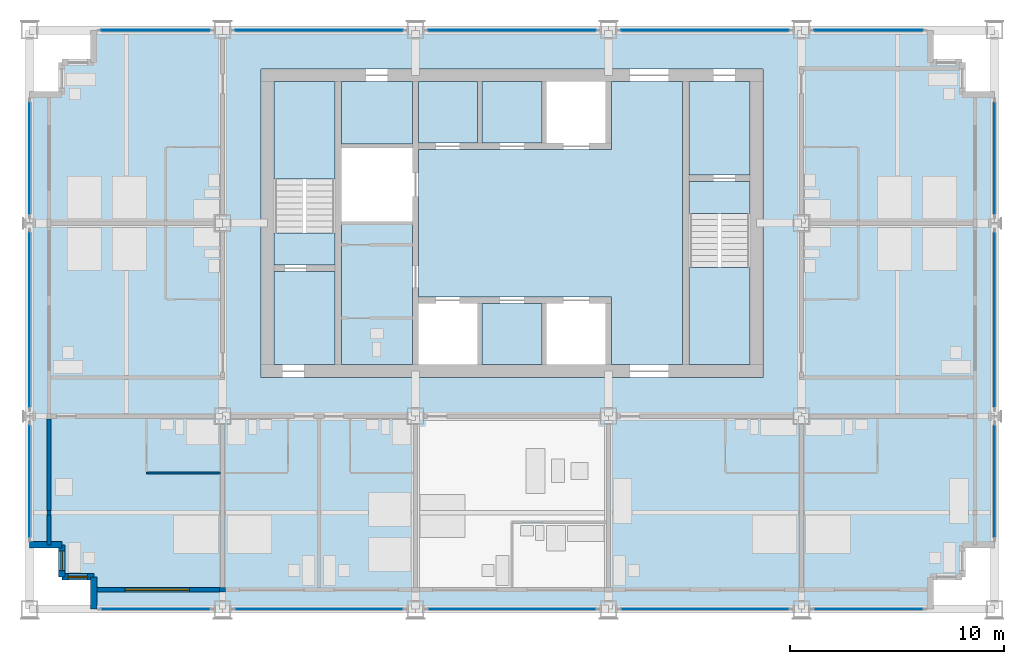
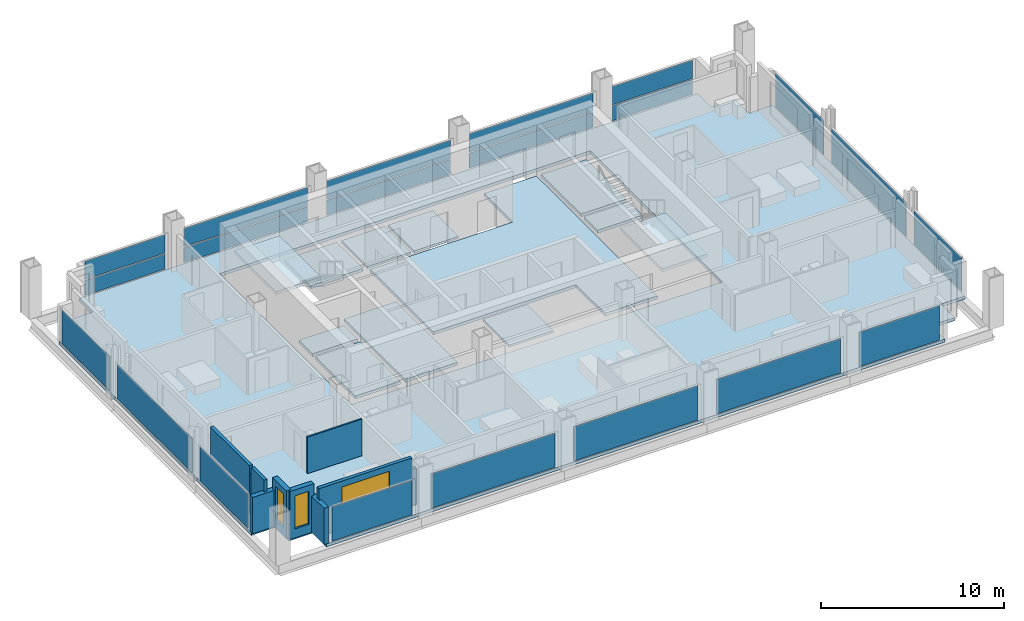
# One storey, part 6 of 13: 21 plates, 13 slabs, 10 walls, 3 windows, 3 openings, 18 elements without a shape of their own.
"""IFC4 building model written with IfcOpenShell, lengths in metres."""

from ifc_helpers import new_model, si_unit, direction, frame, frame_2d, origin, origin_2d, place, context, subcontext, project, spatial, polyline, rectangle, outline, extrude, material, layer, layer_set, type_object, element, fill, aggregate, save


model = new_model("IFC4")

# Units and contexts
model_context = context("Model", 3, precision=1e-05, world=origin(), true_north=direction((0.0, 1.0)))
body_context = subcontext(model_context, "Body", "Model", "MODEL_VIEW")
ifc_project = project(units=[si_unit("LENGTHUNIT", "METRE"), si_unit("AREAUNIT", "SQUARE_METRE"), si_unit("VOLUMEUNIT", "CUBIC_METRE"), si_unit("PLANEANGLEUNIT", "RADIAN"), si_unit("MASSUNIT", "GRAM", prefix="KILO")], contexts=[model_context])

# Site, building, storey
site_placement = place(None, origin())
site = spatial("IfcSite", under=ifc_project, at=site_placement, CompositionType="ELEMENT")
building_placement = place(site_placement, origin())
building = spatial("IfcBuilding", under=site, at=building_placement, Name="Loomwork Tower", CompositionType="ELEMENT")
storey_placement = place(building_placement, frame((0.0, 0.0, 191.0)))
storey = spatial("IfcBuildingStorey", under=building, at=storey_placement, Name="L52", CompositionType="ELEMENT", Elevation=191.0)

# Slabs
ifc_material_1 = material(Name="Concrete 5000 psi (34 MPa) on composite metal deck", Category="concrete")
ifc_layer_1 = layer(ifc_material_1, 0.199951171875)
ifc_layer_set_1 = layer_set([ifc_layer_1], Name="Floor slab 200")
slab_type_1 = type_object("IfcSlabType", Name="Floor slab 200", PredefinedType="FLOOR", material=ifc_layer_set_1)
slab_1_placement = place(storey_placement, frame((0.0, 0.0, -0.199951171875)))
element("IfcSlab", 1, at=slab_1_placement, inside=storey, type_object=slab_type_1, Name="Floor slab L52", PredefinedType="FLOOR", context=body_context, shape_type="SweptSolid", body=[
    extrude(outline(polyline([(3.0, 1.5), (1.5, 1.5), (1.5, 3.0), (0.0, 3.0), (0.0, 24.0), (1.5, 24.0), (1.5, 25.5), (3.0, 25.5), (3.0, 27.0), (42.0, 27.0), (42.0, 25.5), (43.5, 25.5), (43.5, 24.0), (45.0, 24.0), (45.0, 3.0), (43.5, 3.0), (43.5, 1.5), (42.0, 1.5), (42.0, 0.0), (3.0, 0.0), (3.0, 1.5)]), holes=[polyline([(10.800048828125, 11.39990234375), (10.800048828125, 11.39990234375), (10.800048828125, 10.800048828125), (34.199951171875, 10.800048828125), (34.199951171875, 11.39990234375), (34.199951171875, 11.39990234375), (34.199951171875, 24.60009765625), (34.199951171875, 25.199951171875), (10.800048828125, 25.199951171875), (10.800048828125, 24.60009765625), (10.800048828125, 11.39990234375)])]), origin(), (0.0, 0.0, 1.0), 0.199951171875),
])
slab_2_placement = place(storey_placement, frame((0.0, 0.0, -0.199951171875)))
element("IfcSlab", 2, at=slab_2_placement, inside=storey, type_object=slab_type_1, Name="Floor slab L52", PredefinedType="FLOOR", context=body_context, shape_type="SweptSolid", body=[
    extrude(outline(polyline([(30.449951171875, 24.60009765625), (30.449951171875, 11.39990234375), (27.14990234375, 11.39990234375), (27.14990234375, 14.25), (27.14990234375, 14.550048828125), (18.14990234375, 14.550048828125), (18.14990234375, 21.449951171875), (27.14990234375, 21.449951171875), (27.14990234375, 21.75), (27.14990234375, 24.60009765625), (30.449951171875, 24.60009765625)])), origin(), (0.0, 0.0, 1.0), 0.199951171875),
])
slab_3_placement = place(storey_placement, frame((0.0, 0.0, -0.199951171875)))
element("IfcSlab", 3, at=slab_3_placement, inside=storey, type_object=slab_type_1, Name="Floor slab L52", PredefinedType="FLOOR", context=body_context, shape_type="SweptSolid", body=[
    extrude(outline(polyline([(14.550048828125, 11.39990234375), (14.550048828125, 18.074951171875), (17.85009765625, 18.074951171875), (17.85009765625, 11.39990234375), (14.550048828125, 11.39990234375)])), origin(), (0.0, 0.0, 1.0), 0.199951171875),
])
slab_4_placement = place(storey_placement, frame((0.0, 0.0, -0.199951171875)))
element("IfcSlab", 4, at=slab_4_placement, inside=storey, type_object=slab_type_1, Name="Floor slab L52", PredefinedType="FLOOR", context=body_context, shape_type="SweptSolid", body=[
    extrude(outline(polyline([(33.60009765625, 20.25), (30.75, 20.25), (30.75, 24.60009765625), (33.60009765625, 24.60009765625), (33.60009765625, 20.25)])), origin(), (0.0, 0.0, 1.0), 0.199951171875),
])
slab_5_placement = place(storey_placement, frame((0.0, 0.0, -0.199951171875)))
element("IfcSlab", 5, at=slab_5_placement, inside=storey, type_object=slab_type_1, Name="Floor slab L52", PredefinedType="FLOOR", context=body_context, shape_type="SweptSolid", body=[
    extrude(outline(polyline([(14.25, 15.75), (14.25, 11.39990234375), (11.39990234375, 11.39990234375), (11.39990234375, 15.75), (14.25, 15.75)])), origin(), (0.0, 0.0, 1.0), 0.199951171875),
])
slab_6_placement = place(storey_placement, frame((0.0, 0.0, -0.199951171875)))
element("IfcSlab", 6, at=slab_6_placement, inside=storey, type_object=slab_type_1, Name="Floor slab L52", PredefinedType="FLOOR", context=body_context, shape_type="SweptSolid", body=[
    extrude(outline(polyline([(14.550048828125, 21.699951171875), (14.550048828125, 24.60009765625), (17.85009765625, 24.60009765625), (17.85009765625, 21.699951171875), (14.550048828125, 21.699951171875)])), origin(), (0.0, 0.0, 1.0), 0.199951171875),
])

# Curtain wall, plate
ifc_material_2 = material(Name="Aluminium curtain wall frame", Category="aluminium")
curtain_wall_type_1 = type_object("IfcCurtainWallType", Name="Outer skin glazing hotel", PredefinedType="NOTDEFINED", material=ifc_material_2)
curtain_wall_1_placement = place(storey_placement, origin())
curtain_wall_1 = element("IfcCurtainWall", 7, at=curtain_wall_1_placement, inside=storey, type_object=curtain_wall_type_1, Name="Outer skin glazing hotel cw/S-0", PredefinedType="NOTDEFINED")
ifc_material_3 = material(Name="Clear laminated glass", Category="glass")
ifc_layer_2 = layer(ifc_material_3, 0.02392578125)
ifc_layer_set_2 = layer_set([ifc_layer_2], Name="Outer skin glazing hotel panel")
plate_type_1 = type_object("IfcPlateType", Name="Outer skin glazing hotel panel", PredefinedType="CURTAIN_PANEL", material=ifc_layer_set_2)
plate_1_placement = place(storey_placement, frame((5.875, 0.0, 0.06494140625), z_axis=(0.0, 0.0, 1.0), x_axis=(1.0, 0.0, 0.0)))
plate_1 = element("IfcPlate", 8, at=plate_1_placement, type_object=plate_type_1, Name="CW1 panel 1.1", PredefinedType="CURTAIN_PANEL", context=body_context, shape_type="SweptSolid", body=[
    extrude(rectangle(XDim=5.050048828125, YDim=0.02392578125, at=origin_2d()), origin(), (0.0, 0.0, 1.0), 2.290283203125),
])
aggregate(curtain_wall_1, [plate_1])

curtain_wall_2_placement = place(storey_placement, origin())
curtain_wall_2 = element("IfcCurtainWall", 9, at=curtain_wall_2_placement, inside=storey, type_object=curtain_wall_type_1, Name="Outer skin glazing hotel cw/S-9", PredefinedType="NOTDEFINED")
plate_2_placement = place(storey_placement, frame((13.5, 0.0, 0.06494140625), z_axis=(0.0, 0.0, 1.0), x_axis=(1.0, 0.0, 0.0)))
plate_2 = element("IfcPlate", 10, at=plate_2_placement, type_object=plate_type_1, Name="CW1 panel 1.1", PredefinedType="CURTAIN_PANEL", context=body_context, shape_type="SweptSolid", body=[
    extrude(rectangle(XDim=7.800048828125, YDim=0.02392578125, at=origin_2d()), origin(), (0.0, 0.0, 1.0), 2.290283203125),
])
aggregate(curtain_wall_2, [plate_2])

curtain_wall_3_placement = place(storey_placement, origin())
curtain_wall_3 = element("IfcCurtainWall", 11, at=curtain_wall_3_placement, inside=storey, type_object=curtain_wall_type_1, Name="Outer skin glazing hotel cw/S-18", PredefinedType="NOTDEFINED")
plate_3_placement = place(storey_placement, frame((22.5, 0.0, 0.06494140625), z_axis=(0.0, 0.0, 1.0), x_axis=(1.0, 0.0, 0.0)))
plate_3 = element("IfcPlate", 12, at=plate_3_placement, type_object=plate_type_1, Name="CW1 panel 1.1", PredefinedType="CURTAIN_PANEL", context=body_context, shape_type="SweptSolid", body=[
    extrude(rectangle(XDim=7.800048828125, YDim=0.02392578125, at=origin_2d()), origin(), (0.0, 0.0, 1.0), 2.290283203125),
])
aggregate(curtain_wall_3, [plate_3])

curtain_wall_4_placement = place(storey_placement, origin())
curtain_wall_4 = element("IfcCurtainWall", 13, at=curtain_wall_4_placement, inside=storey, type_object=curtain_wall_type_1, Name="Outer skin glazing hotel cw/S-27", PredefinedType="NOTDEFINED")
plate_4_placement = place(storey_placement, frame((31.5, 0.0, 0.06494140625), z_axis=(0.0, 0.0, 1.0), x_axis=(1.0, 0.0, 0.0)))
plate_4 = element("IfcPlate", 14, at=plate_4_placement, type_object=plate_type_1, Name="CW1 panel 1.1", PredefinedType="CURTAIN_PANEL", context=body_context, shape_type="SweptSolid", body=[
    extrude(rectangle(XDim=7.800048828125, YDim=0.02392578125, at=origin_2d()), origin(), (0.0, 0.0, 1.0), 2.290283203125),
])
aggregate(curtain_wall_4, [plate_4])

curtain_wall_5_placement = place(storey_placement, origin())
curtain_wall_5 = element("IfcCurtainWall", 15, at=curtain_wall_5_placement, inside=storey, type_object=curtain_wall_type_1, Name="Outer skin glazing hotel cw/S-36", PredefinedType="NOTDEFINED")
plate_5_placement = place(storey_placement, frame((39.125, 0.0, 0.06494140625), z_axis=(0.0, 0.0, 1.0), x_axis=(1.0, 0.0, 0.0)))
plate_5 = element("IfcPlate", 16, at=plate_5_placement, type_object=plate_type_1, Name="CW1 panel 1.1", PredefinedType="CURTAIN_PANEL", context=body_context, shape_type="SweptSolid", body=[
    extrude(rectangle(XDim=5.050048828125, YDim=0.02392578125, at=origin_2d()), origin(), (0.0, 0.0, 1.0), 2.290283203125),
])
aggregate(curtain_wall_5, [plate_5])

curtain_wall_6_placement = place(storey_placement, origin())
curtain_wall_6 = element("IfcCurtainWall", 17, at=curtain_wall_6_placement, inside=storey, type_object=curtain_wall_type_1, Name="Outer skin glazing hotel cw/W-0", PredefinedType="NOTDEFINED")
plate_6_placement = place(storey_placement, frame((0.0, 5.962646484375, 0.06494140625), z_axis=(0.0, 0.0, 1.0), x_axis=(0.0, -1.0, 0.0)))
plate_6 = element("IfcPlate", 18, at=plate_6_placement, type_object=plate_type_1, Name="CW1 panel 1.1", PredefinedType="CURTAIN_PANEL", context=body_context, shape_type="SweptSolid", body=[
    extrude(rectangle(XDim=5.22509765625, YDim=0.02392578125, at=origin_2d()), origin(), (0.0, 0.0, 1.0), 2.290283203125),
])
aggregate(curtain_wall_6, [plate_6])

curtain_wall_7_placement = place(storey_placement, origin())
curtain_wall_7 = element("IfcCurtainWall", 19, at=curtain_wall_7_placement, inside=storey, type_object=curtain_wall_type_1, Name="Outer skin glazing hotel cw/W-9", PredefinedType="NOTDEFINED")
plate_7_placement = place(storey_placement, frame((0.0, 13.5, 0.06494140625), z_axis=(0.0, 0.0, 1.0), x_axis=(0.0, -1.0, 0.0)))
plate_7 = element("IfcPlate", 20, at=plate_7_placement, type_object=plate_type_1, Name="CW1 panel 1.1", PredefinedType="CURTAIN_PANEL", context=body_context, shape_type="SweptSolid", body=[
    extrude(rectangle(XDim=8.150390625, YDim=0.02392578125, at=origin_2d()), origin(), (0.0, 0.0, 1.0), 2.290283203125),
])
aggregate(curtain_wall_7, [plate_7])

curtain_wall_8_placement = place(storey_placement, origin())
curtain_wall_8 = element("IfcCurtainWall", 21, at=curtain_wall_8_placement, inside=storey, type_object=curtain_wall_type_1, Name="Outer skin glazing hotel cw/W-18", PredefinedType="NOTDEFINED")
plate_8_placement = place(storey_placement, frame((0.0, 21.037353515625, 0.06494140625), z_axis=(0.0, 0.0, 1.0), x_axis=(0.0, -1.0, 0.0)))
plate_8 = element("IfcPlate", 22, at=plate_8_placement, type_object=plate_type_1, Name="CW1 panel 1.1", PredefinedType="CURTAIN_PANEL", context=body_context, shape_type="SweptSolid", body=[
    extrude(rectangle(XDim=5.22509765625, YDim=0.02392578125, at=origin_2d()), origin(), (0.0, 0.0, 1.0), 2.290283203125),
])
aggregate(curtain_wall_8, [plate_8])

curtain_wall_9_placement = place(storey_placement, origin())
curtain_wall_9 = element("IfcCurtainWall", 23, at=curtain_wall_9_placement, inside=storey, type_object=curtain_wall_type_1, Name="Outer skin glazing hotel cw/E-0", PredefinedType="NOTDEFINED")
plate_9_placement = place(storey_placement, frame((45.0, 5.962646484375, 0.06494140625), z_axis=(0.0, 0.0, 1.0), x_axis=(0.0, 1.0, 0.0)))
plate_9 = element("IfcPlate", 24, at=plate_9_placement, type_object=plate_type_1, Name="CW1 panel 1.1", PredefinedType="CURTAIN_PANEL", context=body_context, shape_type="SweptSolid", body=[
    extrude(rectangle(XDim=5.22509765625, YDim=0.02392578125, at=origin_2d()), origin(), (0.0, 0.0, 1.0), 2.290283203125),
])
aggregate(curtain_wall_9, [plate_9])

curtain_wall_10_placement = place(storey_placement, origin())
curtain_wall_10 = element("IfcCurtainWall", 25, at=curtain_wall_10_placement, inside=storey, type_object=curtain_wall_type_1, Name="Outer skin glazing hotel cw/E-9", PredefinedType="NOTDEFINED")
plate_10_placement = place(storey_placement, frame((45.0, 13.5, 0.06494140625), z_axis=(0.0, 0.0, 1.0), x_axis=(0.0, 1.0, 0.0)))
plate_10 = element("IfcPlate", 26, at=plate_10_placement, type_object=plate_type_1, Name="CW1 panel 1.1", PredefinedType="CURTAIN_PANEL", context=body_context, shape_type="SweptSolid", body=[
    extrude(rectangle(XDim=8.150390625, YDim=0.02392578125, at=origin_2d()), origin(), (0.0, 0.0, 1.0), 2.290283203125),
])
aggregate(curtain_wall_10, [plate_10])

curtain_wall_11_placement = place(storey_placement, origin())
curtain_wall_11 = element("IfcCurtainWall", 27, at=curtain_wall_11_placement, inside=storey, type_object=curtain_wall_type_1, Name="Outer skin glazing hotel cw/E-18", PredefinedType="NOTDEFINED")
plate_11_placement = place(storey_placement, frame((45.0, 21.037353515625, 0.06494140625), z_axis=(0.0, 0.0, 1.0), x_axis=(0.0, 1.0, 0.0)))
plate_11 = element("IfcPlate", 28, at=plate_11_placement, type_object=plate_type_1, Name="CW1 panel 1.1", PredefinedType="CURTAIN_PANEL", context=body_context, shape_type="SweptSolid", body=[
    extrude(rectangle(XDim=5.22509765625, YDim=0.02392578125, at=origin_2d()), origin(), (0.0, 0.0, 1.0), 2.290283203125),
])
aggregate(curtain_wall_11, [plate_11])

# Slabs
ifc_material_4 = material(Name="Concrete 5000 psi (34 MPa) on composite metal deck", Category="concrete")
ifc_layer_3 = layer(ifc_material_4, 0.14990234375)
ifc_layer_set_3 = layer_set([ifc_layer_3], Name="Shaft infill floor 150")
slab_type_2 = type_object("IfcSlabType", Name="Shaft infill floor 150", PredefinedType="FLOOR", material=ifc_layer_set_3)
slab_7_placement = place(storey_placement, frame((0.0, 0.0, -0.14990234375)))
element("IfcSlab", 29, at=slab_7_placement, inside=storey, type_object=slab_type_2, Name="Shaft infill floor LS1 L52", PredefinedType="FLOOR", context=body_context, shape_type="SweptSolid", body=[
    extrude(outline(polyline([(18.14990234375, 21.75), (20.89990234375, 21.75), (20.89990234375, 24.60009765625), (18.14990234375, 24.60009765625), (18.14990234375, 21.75)])), origin(), (0.0, 0.0, 1.0), 0.14990234375),
])
slab_8_placement = place(storey_placement, frame((0.0, 0.0, -0.14990234375)))
element("IfcSlab", 30, at=slab_8_placement, inside=storey, type_object=slab_type_2, Name="Shaft infill floor LS2 L52", PredefinedType="FLOOR", context=body_context, shape_type="SweptSolid", body=[
    extrude(outline(polyline([(21.10009765625, 21.75), (23.89990234375, 21.75), (23.89990234375, 24.60009765625), (21.10009765625, 24.60009765625), (21.10009765625, 21.75)])), origin(), (0.0, 0.0, 1.0), 0.14990234375),
])
slab_9_placement = place(storey_placement, frame((0.0, 0.0, -0.14990234375)))
element("IfcSlab", 31, at=slab_9_placement, inside=storey, type_object=slab_type_2, Name="Shaft infill floor S2 L52", PredefinedType="FLOOR", context=body_context, shape_type="SweptSolid", body=[
    extrude(outline(polyline([(21.10009765625, 11.39990234375), (23.89990234375, 11.39990234375), (23.89990234375, 14.25), (21.10009765625, 14.25), (21.10009765625, 11.39990234375)])), origin(), (0.0, 0.0, 1.0), 0.14990234375),
])

# Curtain wall, plates
ifc_material_5 = material(Name="Aluminium curtain wall frame", Category="aluminium")
curtain_wall_type_2 = type_object("IfcCurtainWallType", Name="Single skin glazing corridor", PredefinedType="NOTDEFINED", material=ifc_material_5)
curtain_wall_12_placement = place(storey_placement, origin())
curtain_wall_12 = element("IfcCurtainWall", 32, at=curtain_wall_12_placement, inside=storey, type_object=curtain_wall_type_2, Name="Single skin glazing corridor cw/N-0", PredefinedType="NOTDEFINED")
ifc_material_6 = material(Name="Clear insulated glass", Category="glass")
ifc_layer_4 = layer(ifc_material_6, 0.031982421875)
ifc_layer_set_4 = layer_set([ifc_layer_4], Name="Single skin glazing corridor panel")
plate_type_2 = type_object("IfcPlateType", Name="Single skin glazing corridor panel", PredefinedType="CURTAIN_PANEL", material=ifc_layer_set_4)
plate_12_placement = place(storey_placement, frame((5.875, 27.0, 0.06494140625), z_axis=(0.0, 0.0, 1.0), x_axis=(-1.0, 0.0, 0.0)))
plate_12 = element("IfcPlate", 33, at=plate_12_placement, type_object=plate_type_2, Name="CW3 panel 1.1", PredefinedType="CURTAIN_PANEL", context=body_context, shape_type="SweptSolid", body=[
    extrude(rectangle(XDim=5.050048828125, YDim=0.031982421875, at=origin_2d()), origin(), (0.0, 0.0, 1.0), 1.00244140625),
])
plate_13_placement = place(storey_placement, frame((5.875, 27.0, 1.132568359375), z_axis=(0.0, 0.0, 1.0), x_axis=(-1.0, 0.0, 0.0)))
plate_13 = element("IfcPlate", 34, at=plate_13_placement, type_object=plate_type_2, Name="CW3 panel 1.2", PredefinedType="CURTAIN_PANEL", context=body_context, shape_type="SweptSolid", body=[
    extrude(rectangle(XDim=5.050048828125, YDim=0.031982421875, at=origin_2d()), origin(), (0.0, 0.0, 1.0), 1.22265625),
])
aggregate(curtain_wall_12, [plate_12, plate_13])

curtain_wall_13_placement = place(storey_placement, origin())
curtain_wall_13 = element("IfcCurtainWall", 35, at=curtain_wall_13_placement, inside=storey, type_object=curtain_wall_type_2, Name="Single skin glazing corridor cw/N-9", PredefinedType="NOTDEFINED")
plate_14_placement = place(storey_placement, frame((13.5, 27.0, 0.06494140625), z_axis=(0.0, 0.0, 1.0), x_axis=(-1.0, 0.0, 0.0)))
plate_14 = element("IfcPlate", 36, at=plate_14_placement, type_object=plate_type_2, Name="CW3 panel 1.1", PredefinedType="CURTAIN_PANEL", context=body_context, shape_type="SweptSolid", body=[
    extrude(rectangle(XDim=7.800048828125, YDim=0.031982421875, at=origin_2d()), origin(), (0.0, 0.0, 1.0), 1.00244140625),
])
plate_15_placement = place(storey_placement, frame((13.5, 27.0, 1.132568359375), z_axis=(0.0, 0.0, 1.0), x_axis=(-1.0, 0.0, 0.0)))
plate_15 = element("IfcPlate", 37, at=plate_15_placement, type_object=plate_type_2, Name="CW3 panel 1.2", PredefinedType="CURTAIN_PANEL", context=body_context, shape_type="SweptSolid", body=[
    extrude(rectangle(XDim=7.800048828125, YDim=0.031982421875, at=origin_2d()), origin(), (0.0, 0.0, 1.0), 1.22265625),
])
aggregate(curtain_wall_13, [plate_14, plate_15])

curtain_wall_14_placement = place(storey_placement, origin())
curtain_wall_14 = element("IfcCurtainWall", 38, at=curtain_wall_14_placement, inside=storey, type_object=curtain_wall_type_2, Name="Single skin glazing corridor cw/N-18", PredefinedType="NOTDEFINED")
plate_16_placement = place(storey_placement, frame((22.5, 27.0, 0.06494140625), z_axis=(0.0, 0.0, 1.0), x_axis=(-1.0, 0.0, 0.0)))
plate_16 = element("IfcPlate", 39, at=plate_16_placement, type_object=plate_type_2, Name="CW3 panel 1.1", PredefinedType="CURTAIN_PANEL", context=body_context, shape_type="SweptSolid", body=[
    extrude(rectangle(XDim=7.800048828125, YDim=0.031982421875, at=origin_2d()), origin(), (0.0, 0.0, 1.0), 1.00244140625),
])
plate_17_placement = place(storey_placement, frame((22.5, 27.0, 1.132568359375), z_axis=(0.0, 0.0, 1.0), x_axis=(-1.0, 0.0, 0.0)))
plate_17 = element("IfcPlate", 40, at=plate_17_placement, type_object=plate_type_2, Name="CW3 panel 1.2", PredefinedType="CURTAIN_PANEL", context=body_context, shape_type="SweptSolid", body=[
    extrude(rectangle(XDim=7.800048828125, YDim=0.031982421875, at=origin_2d()), origin(), (0.0, 0.0, 1.0), 1.22265625),
])
aggregate(curtain_wall_14, [plate_16, plate_17])

curtain_wall_15_placement = place(storey_placement, origin())
curtain_wall_15 = element("IfcCurtainWall", 41, at=curtain_wall_15_placement, inside=storey, type_object=curtain_wall_type_2, Name="Single skin glazing corridor cw/N-27", PredefinedType="NOTDEFINED")
plate_18_placement = place(storey_placement, frame((31.5, 27.0, 0.06494140625), z_axis=(0.0, 0.0, 1.0), x_axis=(-1.0, 0.0, 0.0)))
plate_18 = element("IfcPlate", 42, at=plate_18_placement, type_object=plate_type_2, Name="CW3 panel 1.1", PredefinedType="CURTAIN_PANEL", context=body_context, shape_type="SweptSolid", body=[
    extrude(rectangle(XDim=7.800048828125, YDim=0.031982421875, at=origin_2d()), origin(), (0.0, 0.0, 1.0), 1.00244140625),
])
plate_19_placement = place(storey_placement, frame((31.5, 27.0, 1.132568359375), z_axis=(0.0, 0.0, 1.0), x_axis=(-1.0, 0.0, 0.0)))
plate_19 = element("IfcPlate", 43, at=plate_19_placement, type_object=plate_type_2, Name="CW3 panel 1.2", PredefinedType="CURTAIN_PANEL", context=body_context, shape_type="SweptSolid", body=[
    extrude(rectangle(XDim=7.800048828125, YDim=0.031982421875, at=origin_2d()), origin(), (0.0, 0.0, 1.0), 1.22265625),
])
aggregate(curtain_wall_15, [plate_18, plate_19])

curtain_wall_16_placement = place(storey_placement, origin())
curtain_wall_16 = element("IfcCurtainWall", 44, at=curtain_wall_16_placement, inside=storey, type_object=curtain_wall_type_2, Name="Single skin glazing corridor cw/N-36", PredefinedType="NOTDEFINED")
plate_20_placement = place(storey_placement, frame((39.125, 27.0, 0.06494140625), z_axis=(0.0, 0.0, 1.0), x_axis=(-1.0, 0.0, 0.0)))
plate_20 = element("IfcPlate", 45, at=plate_20_placement, type_object=plate_type_2, Name="CW3 panel 1.1", PredefinedType="CURTAIN_PANEL", context=body_context, shape_type="SweptSolid", body=[
    extrude(rectangle(XDim=5.050048828125, YDim=0.031982421875, at=origin_2d()), origin(), (0.0, 0.0, 1.0), 1.00244140625),
])
plate_21_placement = place(storey_placement, frame((39.125, 27.0, 1.132568359375), z_axis=(0.0, 0.0, 1.0), x_axis=(-1.0, 0.0, 0.0)))
plate_21 = element("IfcPlate", 46, at=plate_21_placement, type_object=plate_type_2, Name="CW3 panel 1.2", PredefinedType="CURTAIN_PANEL", context=body_context, shape_type="SweptSolid", body=[
    extrude(rectangle(XDim=5.050048828125, YDim=0.031982421875, at=origin_2d()), origin(), (0.0, 0.0, 1.0), 1.22265625),
])
aggregate(curtain_wall_16, [plate_20, plate_21])

# Stair, slabs
ifc_material_7 = material(Name="Concrete 5000 psi (34 MPa) precast stair", Category="concrete")
stair_type_1 = type_object("IfcStairType", Name="Stair ST-A 20 risers 2850 wide", PredefinedType="HALF_TURN_STAIR", material=ifc_material_7)
stair_1_placement = place(storey_placement, origin())
stair_1 = element("IfcStair", 47, at=stair_1_placement, inside=storey, type_object=stair_type_1, Name="Stair A L52", PredefinedType="HALF_TURN_STAIR")
ifc_material_8 = material(Name="Concrete 5000 psi (34 MPa)", Category="concrete")
ifc_layer_5 = layer(ifc_material_8, 0.199951171875)
ifc_layer_set_5 = layer_set([ifc_layer_5], Name="Stair landing 200")
slab_type_3 = type_object("IfcSlabType", Name="Stair landing 200", PredefinedType="LANDING", material=ifc_layer_set_5)
slab_10_placement = place(storey_placement, frame((0.0, 0.0, -0.199951171875)))
slab_10 = element("IfcSlab", 48, at=slab_10_placement, type_object=slab_type_3, Name="ST-A landing 1", PredefinedType="LANDING", context=body_context, shape_type="SweptSolid", body=[
    extrude(outline(polyline([(11.39990234375, 16.050048828125), (14.25, 16.050048828125), (14.25, 17.550048828125), (11.39990234375, 17.550048828125), (11.39990234375, 16.050048828125)])), origin(), (0.0, 0.0, 1.0), 0.199951171875),
])
slab_11_placement = place(storey_placement, frame((0.0, 0.0, 1.5)))
slab_11 = element("IfcSlab", 49, at=slab_11_placement, type_object=slab_type_3, Name="ST-A landing 2", PredefinedType="LANDING", context=body_context, shape_type="SweptSolid", body=[
    extrude(outline(polyline([(11.39990234375, 20.070068359375), (14.25, 20.070068359375), (14.25, 24.60009765625), (11.39990234375, 24.60009765625), (11.39990234375, 20.070068359375)])), origin(), (0.0, 0.0, 1.0), 0.199951171875),
])
aggregate(stair_1, [slab_10, slab_11])

ifc_material_9 = material(Name="Concrete 5000 psi (34 MPa) precast stair", Category="concrete")
stair_type_2 = type_object("IfcStairType", Name="Stair ST-B 20 risers 2850 wide", PredefinedType="HALF_TURN_STAIR", material=ifc_material_9)
stair_2_placement = place(storey_placement, origin())
stair_2 = element("IfcStair", 50, at=stair_2_placement, inside=storey, type_object=stair_type_2, Name="Stair B L52", PredefinedType="HALF_TURN_STAIR")
slab_12_placement = place(storey_placement, frame((0.0, 0.0, -0.199951171875)))
slab_12 = element("IfcSlab", 51, at=slab_12_placement, type_object=slab_type_3, Name="ST-B landing 1", PredefinedType="LANDING", context=body_context, shape_type="SweptSolid", body=[
    extrude(outline(polyline([(30.75, 18.449951171875), (33.60009765625, 18.449951171875), (33.60009765625, 19.949951171875), (30.75, 19.949951171875), (30.75, 18.449951171875)])), origin(), (0.0, 0.0, 1.0), 0.199951171875),
])
slab_13_placement = place(storey_placement, frame((0.0, 0.0, 1.5)))
slab_13 = element("IfcSlab", 52, at=slab_13_placement, type_object=slab_type_3, Name="ST-B landing 2", PredefinedType="LANDING", context=body_context, shape_type="SweptSolid", body=[
    extrude(outline(polyline([(30.75, 11.39990234375), (33.60009765625, 11.39990234375), (33.60009765625, 15.929931640625), (30.75, 15.929931640625), (30.75, 11.39990234375)])), origin(), (0.0, 0.0, 1.0), 0.199951171875),
])
aggregate(stair_2, [slab_12, slab_13])

# Wall
ifc_material_10 = material(Name="Cement board on steel studs", Category="steel")
ifc_layer_6 = layer(ifc_material_10, 0.10009765625)
ifc_layer_set_6 = layer_set([ifc_layer_6], Name="En-suite partition 100")
wall_type_1 = type_object("IfcWallType", Name="En-suite partition 100", PredefinedType="PARTITIONING", material=ifc_layer_set_6)
wall_1_placement = place(storey_placement, frame((5.449951171875, 6.35009765625, 0.0), z_axis=(0.0, 0.0, 1.0), x_axis=(1.0, 0.0, 0.0)))
element("IfcWall", 53, at=wall_1_placement, inside=storey, type_object=wall_type_1, Name="En-suite wall L52 room 1", PredefinedType="PARTITIONING", context=body_context, shape_type="SweptSolid", body=[
    extrude(rectangle(XDim=3.449951171875, YDim=0.10009765625, at=frame_2d((1.72509765625, 0.0))), origin(), (0.0, 0.0, 1.0), 2.43798828125),
])

# Wall, opening, window
ifc_material_11 = material(Name="Insulated steel stud wall with gypsum lining", Category="steel")
ifc_layer_7 = layer(ifc_material_11, 0.199951171875)
ifc_layer_set_7 = layer_set([ifc_layer_7], Name="Inner skin wall 200")
wall_type_2 = type_object("IfcWallType", Name="Inner skin wall 200", PredefinedType="SOLIDWALL", material=ifc_layer_set_7)
wall_2_placement = place(storey_placement, frame((3.0, 0.89990234375, 0.0), z_axis=(0.0, 0.0, 1.0), x_axis=(1.0, 0.0, 0.0)))
wall_2 = element("IfcWall", 54, at=wall_2_placement, inside=storey, type_object=wall_type_2, Name="Inner skin wall S", PredefinedType="SOLIDWALL", context=body_context, shape_type="SweptSolid", body=[
    extrude(rectangle(XDim=5.86474609375, YDim=0.199951171875, at=frame_2d((2.932373046875, 0.0))), origin(), (0.0, 0.0, 1.0), 3.199951171875),
])
opening_1_placement = place(wall_2_placement, frame((1.449951171875, 0.0, 0.60009765625)))
opening_1 = element("IfcOpeningElement", 55, at=opening_1_placement, cuts=wall_2, Name="Opening CH1", PredefinedType="OPENING", context=body_context, shape_type="SweptSolid", body=[
    extrude(rectangle(XDim=3.0, YDim=2.199951171875, at=frame_2d((1.5, 1.10009765625))), frame((0.0, 0.10986328125, 0.0), z_axis=(0.0, -1.0, 0.0), x_axis=(1.0, 0.0, 0.0)), (0.0, 0.0, 1.0), 0.219970703125),
])
ifc_material_12 = material(Name="Aluminium frame with clear insulated glass", Category="aluminium")
window_type_1 = type_object("IfcWindowType", Name="Chicago window 3000", PartitioningType="TRIPLE_PANEL_VERTICAL", PredefinedType="WINDOW", material=ifc_material_12)
window_1_placement = place(opening_1_placement, origin())
window_1 = element("IfcWindow", 56, at=window_1_placement, inside=storey, type_object=window_type_1, Name="Chicago window L52 bay 1", OverallHeight=2.199951171875, OverallWidth=3.0, PartitioningType="TRIPLE_PANEL_VERTICAL", PredefinedType="WINDOW", context=body_context, shape_type="SweptSolid", body=[
    extrude(rectangle(XDim=3.0, YDim=2.199951171875, at=frame_2d((1.5, 1.10009765625))), frame((0.0, 0.030029296875, 0.0), z_axis=(0.0, -1.0, 0.0), x_axis=(1.0, 0.0, 0.0)), (0.0, 0.0, 1.0), 0.06005859375),
])
fill(opening_1, window_1)

# Walls
wall_3_placement = place(storey_placement, frame((0.89990234375, 3.0, 0.0), z_axis=(0.0, 0.0, 1.0), x_axis=(0.0, 1.0, 0.0)))
element("IfcWall", 57, at=wall_3_placement, inside=storey, type_object=wall_type_2, Name="Inner skin wall W", PredefinedType="SOLIDWALL", context=body_context, shape_type="SweptSolid", body=[
    extrude(rectangle(XDim=1.392578125, YDim=0.199951171875, at=frame_2d((0.6962890625, 0.0))), origin(), (0.0, 0.0, 1.0), 3.199951171875),
])
wall_4_placement = place(storey_placement, frame((8.86474609375, 0.89990234375, 0.0), z_axis=(0.0, 0.0, 1.0), x_axis=(1.0, 0.0, 0.0)))
element("IfcWall", 58, at=wall_4_placement, inside=storey, type_object=wall_type_2, Name="Inner skin wall S bay 2", PredefinedType="SOLIDWALL", context=body_context, shape_type="SweptSolid", body=[
    extrude(rectangle(XDim=0.2705078125, YDim=0.199951171875, at=frame_2d((0.13525390625, 0.0))), origin(), (0.0, 0.0, 1.0), 2.43798828125),
])
wall_5_placement = place(storey_placement, frame((0.89990234375, 4.392578125, 0.0), z_axis=(0.0, 0.0, 1.0), x_axis=(0.0, 1.0, 0.0)))
element("IfcWall", 59, at=wall_5_placement, inside=storey, type_object=wall_type_2, Name="Inner skin wall W bay 2", PredefinedType="SOLIDWALL", context=body_context, shape_type="SweptSolid", body=[
    extrude(rectangle(XDim=0.21484375, YDim=0.199951171875, at=frame_2d((0.107421875, 0.0))), origin(), (0.0, 0.0, 1.0), 2.660888671875),
])
wall_6_placement = place(storey_placement, frame((0.89990234375, 4.607421875, 0.0), z_axis=(0.0, 0.0, 1.0), x_axis=(0.0, 1.0, 0.0)))
element("IfcWall", 60, at=wall_6_placement, inside=storey, type_object=wall_type_2, Name="Inner skin wall W bay 3", PredefinedType="SOLIDWALL", context=body_context, shape_type="SweptSolid", body=[
    extrude(rectangle(XDim=4.25732421875, YDim=0.199951171875, at=frame_2d((2.128662109375, 0.0))), origin(), (0.0, 0.0, 1.0), 3.199951171875),
])
ifc_material_13 = material(Name="Limestone on concrete masonry", Category="masonry")
ifc_layer_8 = layer(ifc_material_13, 0.300048828125)
ifc_layer_set_8 = layer_set([ifc_layer_8], Name="Limestone corner wall 300")
wall_type_3 = type_object("IfcWallType", Name="Limestone corner wall 300", PredefinedType="SOLIDWALL", material=ifc_layer_set_8)
wall_7_placement = place(storey_placement, frame((0.0, 3.0, 0.0), z_axis=(0.0, 0.0, 1.0), x_axis=(1.0, 0.0, 0.0)))
element("IfcWall", 61, at=wall_7_placement, inside=storey, type_object=wall_type_3, Name="Stone corner wall SW 1", PredefinedType="SOLIDWALL", context=body_context, shape_type="SweptSolid", body=[
    extrude(rectangle(XDim=1.5, YDim=0.300048828125, at=frame_2d((0.75, 0.0))), origin(), (0.0, 0.0, 1.0), 2.419921875),
])

# Wall, opening, window
wall_8_placement = place(storey_placement, frame((1.5, 3.0, 0.0), z_axis=(0.0, 0.0, 1.0), x_axis=(0.0, -1.0, 0.0)))
wall_8 = element("IfcWall", 62, at=wall_8_placement, inside=storey, type_object=wall_type_3, Name="Stone corner wall SW 2", PredefinedType="SOLIDWALL", context=body_context, shape_type="SweptSolid", body=[
    extrude(rectangle(XDim=1.5, YDim=0.300048828125, at=frame_2d((0.75, 0.0))), origin(), (0.0, 0.0, 1.0), 3.199951171875),
])
opening_2_placement = place(wall_8_placement, frame((0.300048828125, 0.0, 0.60009765625)))
opening_2 = element("IfcOpeningElement", 63, at=opening_2_placement, cuts=wall_8, Name="Opening CH2", PredefinedType="OPENING", context=body_context, shape_type="SweptSolid", body=[
    extrude(rectangle(XDim=0.89990234375, YDim=2.199951171875, at=frame_2d((0.449951171875, 1.10009765625))), frame((0.0, 0.159912109375, 0.0), z_axis=(0.0, -1.0, 0.0), x_axis=(1.0, 0.0, 0.0)), (0.0, 0.0, 1.0), 0.320068359375),
])
ifc_material_14 = material(Name="Aluminium frame with clear insulated glass", Category="aluminium")
window_type_2 = type_object("IfcWindowType", Name="Corner window 900", PartitioningType="SINGLE_PANEL", PredefinedType="WINDOW", material=ifc_material_14)
window_2_placement = place(opening_2_placement, origin())
window_2 = element("IfcWindow", 64, at=window_2_placement, inside=storey, type_object=window_type_2, Name="Corner window SW", OverallHeight=2.199951171875, OverallWidth=0.89990234375, PartitioningType="SINGLE_PANEL", PredefinedType="WINDOW", context=body_context, shape_type="SweptSolid", body=[
    extrude(rectangle(XDim=0.89990234375, YDim=2.199951171875, at=frame_2d((0.449951171875, 1.10009765625))), frame((0.0, 0.030029296875, 0.0), z_axis=(0.0, -1.0, 0.0), x_axis=(1.0, 0.0, 0.0)), (0.0, 0.0, 1.0), 0.06005859375),
])
fill(opening_2, window_2)

wall_9_placement = place(storey_placement, frame((1.5, 1.5, 0.0), z_axis=(0.0, 0.0, 1.0), x_axis=(1.0, 0.0, 0.0)))
wall_9 = element("IfcWall", 65, at=wall_9_placement, inside=storey, type_object=wall_type_3, Name="Stone corner wall SW 3", PredefinedType="SOLIDWALL", context=body_context, shape_type="SweptSolid", body=[
    extrude(rectangle(XDim=1.5, YDim=0.300048828125, at=frame_2d((0.75, 0.0))), origin(), (0.0, 0.0, 1.0), 3.199951171875),
])
opening_3_placement = place(wall_9_placement, frame((0.300048828125, 0.0, 0.60009765625)))
opening_3 = element("IfcOpeningElement", 66, at=opening_3_placement, cuts=wall_9, Name="Opening CH2", PredefinedType="OPENING", context=body_context, shape_type="SweptSolid", body=[
    extrude(rectangle(XDim=0.89990234375, YDim=2.199951171875, at=frame_2d((0.449951171875, 1.10009765625))), frame((0.0, 0.159912109375, 0.0), z_axis=(0.0, -1.0, 0.0), x_axis=(1.0, 0.0, 0.0)), (0.0, 0.0, 1.0), 0.320068359375),
])
window_3_placement = place(opening_3_placement, origin())
window_3 = element("IfcWindow", 67, at=window_3_placement, inside=storey, type_object=window_type_2, Name="Corner window SW", OverallHeight=2.199951171875, OverallWidth=0.89990234375, PartitioningType="SINGLE_PANEL", PredefinedType="WINDOW", context=body_context, shape_type="SweptSolid", body=[
    extrude(rectangle(XDim=0.89990234375, YDim=2.199951171875, at=frame_2d((0.449951171875, 1.10009765625))), frame((0.0, 0.030029296875, 0.0), z_axis=(0.0, -1.0, 0.0), x_axis=(1.0, 0.0, 0.0)), (0.0, 0.0, 1.0), 0.06005859375),
])
fill(opening_3, window_3)

# Wall
wall_10_placement = place(storey_placement, frame((3.0, 1.5, 0.0), z_axis=(0.0, 0.0, 1.0), x_axis=(0.0, -1.0, 0.0)))
element("IfcWall", 68, at=wall_10_placement, inside=storey, type_object=wall_type_3, Name="Stone corner wall SW 4", PredefinedType="SOLIDWALL", context=body_context, shape_type="SweptSolid", body=[
    extrude(rectangle(XDim=1.5, YDim=0.300048828125, at=frame_2d((0.75, 0.0))), origin(), (0.0, 0.0, 1.0), 2.419921875),
])

save(model, "model.ifc")
